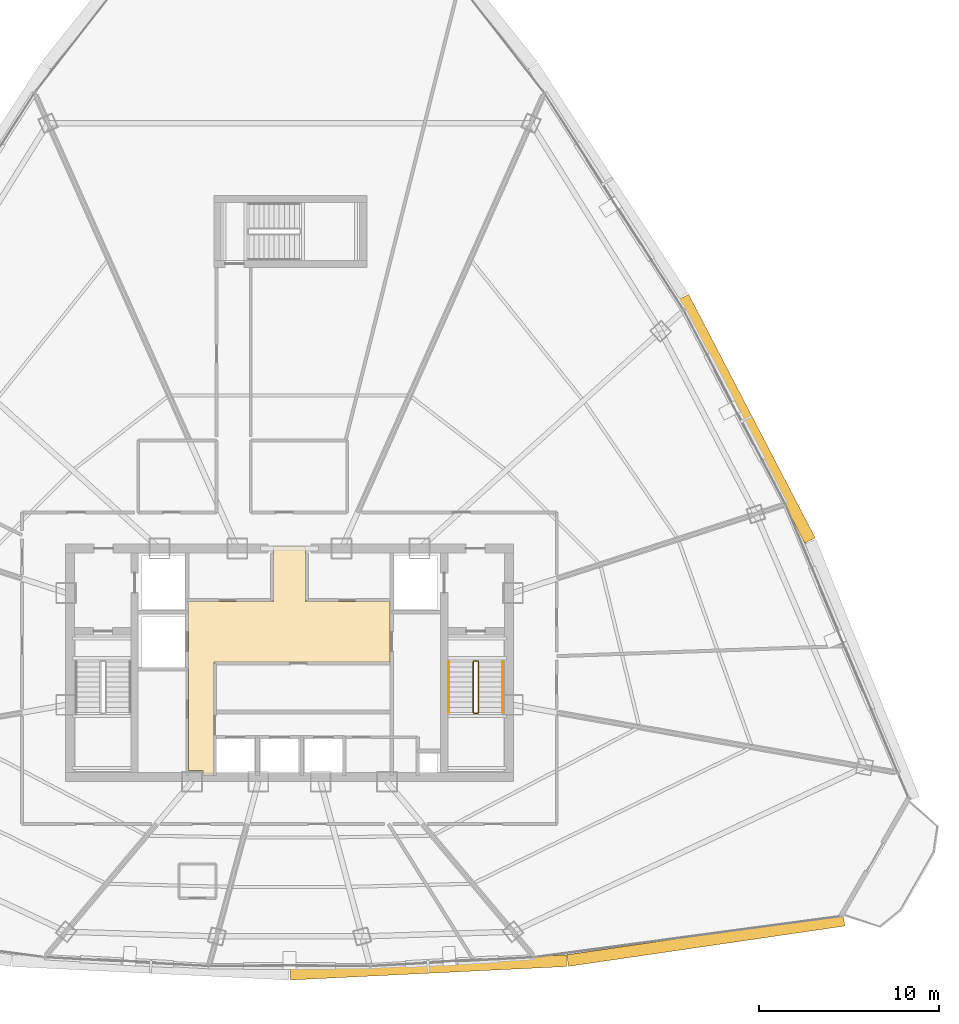
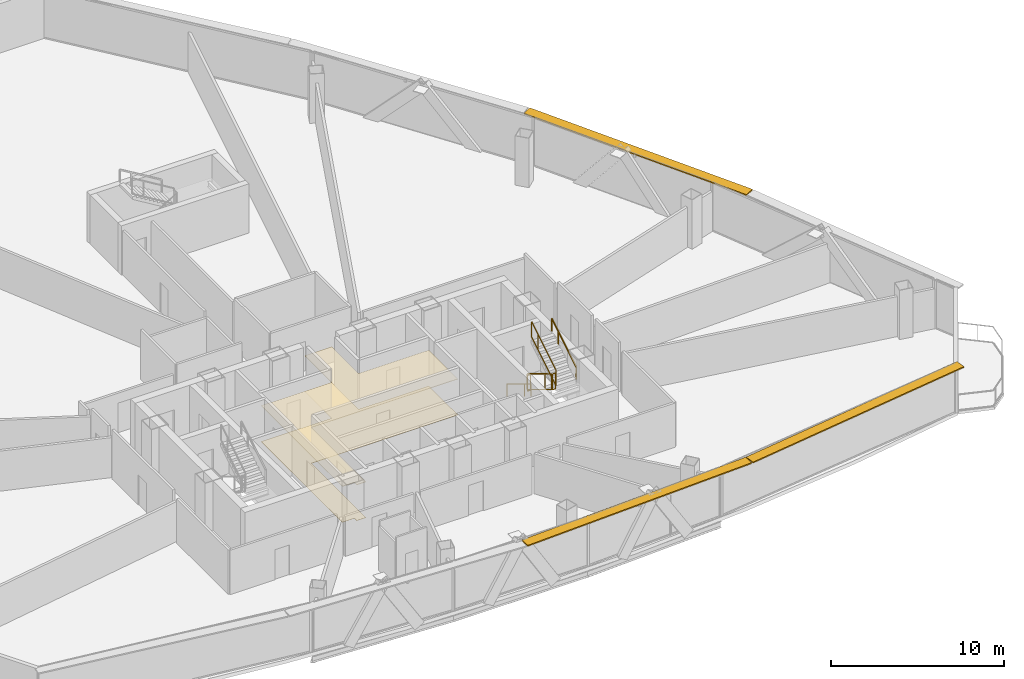
# One storey, part 35 of 37: 6 railings, 3 shading devices, 2 coverings.
"""IFC4 building model written with IfcOpenShell, lengths in metres."""

import ifcopenshell
import ifcopenshell.guid

model = None  # the IFC model being written
_history = None  # IfcOwnerHistory: only IFC2X3 demands one
_inside = {}  # id of a spatial element -> (the spatial element, [elements in it])
_under = {}  # id of a project, library or spatial element -> (it, [spatial elements below it])
_declared = {}  # id of a project -> (the project, [libraries it declares])
_typed = {}  # id of a type object -> (the type object, [elements of that type])
_made_of = {}  # id of a material, layer set ... -> (it, [elements and type objects made of it])


def new_model(schema):
    """Start an empty IFC model of exactly this schema.

    Asked for "IFC4X3", IfcOpenShell would pick the latest addendum, in which some entities
    have other attributes; the version numbers below select the first issue.
    IFC2X3 requires an IfcOwnerHistory on every rooted entity: one is made here for all.
    """
    global model, _history
    if schema == "IFC4X3":
        model = ifcopenshell.file(schema_version=(4, 3, 0, 0))
    else:
        model = ifcopenshell.file(schema=schema)
    _inside.clear()
    _under.clear()
    _declared.clear()
    _typed.clear()
    _made_of.clear()
    _history = None
    if model.schema == "IFC2X3":
        org = make("IfcOrganization", Name="unknown")
        user = make(
            "IfcPersonAndOrganization",
            ThePerson=make("IfcPerson", FamilyName="unknown"),
            TheOrganization=org,
        )
        app = make(
            "IfcApplication",
            ApplicationDeveloper=org,
            Version="unknown",
            ApplicationFullName="unknown",
            ApplicationIdentifier="unknown",
        )
        _history = make(
            "IfcOwnerHistory",
            OwningUser=user,
            OwningApplication=app,
            ChangeAction="ADDED",
            CreationDate=0,
        )
    return model


def make(cls, **values):
    """One entity of the class cls with the attributes given. An attribute that is None is left unset."""
    return model.create_entity(
        cls, **{name: value for name, value in values.items() if value is not None}
    )


def rooted(cls, **values):
    """An entity with a GlobalId (a new one), such as an element, a storey or a relation."""
    return make(cls, GlobalId=ifcopenshell.guid.new(), OwnerHistory=_history, **values)


def si_unit(unit_type, name, prefix=None):
    """IfcSIUnit, for example si_unit("LENGTHUNIT", "METRE", prefix="MILLI")."""
    return make("IfcSIUnit", UnitType=unit_type, Prefix=prefix, Name=name)


def assignment(units):
    """IfcUnitAssignment: the units of a project."""
    return None if units is None else make("IfcUnitAssignment", Units=units)


def point(xyz):
    """IfcCartesianPoint."""
    return None if xyz is None else make("IfcCartesianPoint", Coordinates=xyz)


def direction(xyz):
    """IfcDirection."""
    return None if xyz is None else make("IfcDirection", DirectionRatios=xyz)


def frame(location, z_axis=None, x_axis=None):
    """IfcAxis2Placement3D, a coordinate frame: its origin and axes. An axis left out is left unset."""
    return make(
        "IfcAxis2Placement3D",
        Location=point(location),
        Axis=direction(z_axis),
        RefDirection=direction(x_axis),
    )


def frame_2d(location, x_axis=None):
    """IfcAxis2Placement2D, a coordinate frame in the plane: its origin and x axis."""
    return make(
        "IfcAxis2Placement2D", Location=point(location), RefDirection=direction(x_axis)
    )


def origin():
    """The frame at (0, 0, 0) with its axes left unset."""
    return frame((0.0, 0.0, 0.0))


def origin_2d():
    """The frame at (0, 0) in the plane with its x axis left unset."""
    return frame_2d((0.0, 0.0))


def place(relative_to, where):
    """IfcLocalPlacement: puts the frame where relative to a parent placement (None: the world)."""
    return make(
        "IfcLocalPlacement", PlacementRelTo=relative_to, RelativePlacement=where
    )


def context(
    kind, dimensions, precision=None, world=None, true_north=None, identifier=None
):
    """IfcGeometricRepresentationContext, for example the 3D "Model" context."""
    return make(
        "IfcGeometricRepresentationContext",
        ContextIdentifier=identifier,
        ContextType=kind,
        CoordinateSpaceDimension=dimensions,
        Precision=precision,
        WorldCoordinateSystem=world,
        TrueNorth=true_north,
    )


def subcontext(parent, identifier, kind, view, scale=None):
    """IfcGeometricRepresentationSubContext, for example "Body" below "Model"."""
    return make(
        "IfcGeometricRepresentationSubContext",
        ContextIdentifier=identifier,
        ContextType=kind,
        ParentContext=parent,
        TargetScale=scale,
        TargetView=view,
    )


def project(units=None, contexts=None):
    """IfcProject with its units and contexts."""
    return rooted(
        "IfcProject",
        Name="project",
        RepresentationContexts=contexts,
        UnitsInContext=assignment(units),
    )


def spatial(cls, under=None, at=None, **own):
    """A site, building, storey or space (cls), placed at a placement, below another one or the project."""
    s = rooted(cls, ObjectPlacement=at, **own)
    if under is not None:
        _under.setdefault(under.id(), (under, []))[1].append(s)
    return s


def polyline(points):
    """IfcPolyline through the points."""
    return make("IfcPolyline", Points=[point(p) for p in points])


def profile(cls, at=None, kind="AREA", **sizes):
    """A parametric profile (cls). Its sizes go by their IFC names, for example OverallWidth=200.0."""
    return make(cls, ProfileType=kind, Position=at, **sizes)


def rectangle(**sizes):
    """IfcRectangleProfileDef."""
    return profile("IfcRectangleProfileDef", **sizes)


def outline(outer, holes=None, kind="AREA"):
    """IfcArbitraryClosedProfileDef: a profile drawn as a closed curve; with holes, ...WithVoids."""
    if holes is None:
        return make("IfcArbitraryClosedProfileDef", ProfileType=kind, OuterCurve=outer)
    return make(
        "IfcArbitraryProfileDefWithVoids",
        ProfileType=kind,
        OuterCurve=outer,
        InnerCurves=holes,
    )


def extrude(swept, where, along, depth):
    """IfcExtrudedAreaSolid: the profile swept, set in the frame where, extruded along a direction by depth."""
    return make(
        "IfcExtrudedAreaSolid",
        SweptArea=swept,
        Position=where,
        ExtrudedDirection=direction(along),
        Depth=depth,
    )


def shape(context_of_items, identifier, shape_type, items):
    """IfcShapeRepresentation: the items that make up one representation, for example the "Body"."""
    return make(
        "IfcShapeRepresentation",
        ContextOfItems=context_of_items,
        RepresentationIdentifier=identifier,
        RepresentationType=shape_type,
        Items=items,
    )


def source(mapping_origin, context_of_items, identifier, shape_type, items):
    """IfcRepresentationMap: a shape defined once, which mapped items show again and again."""
    return make(
        "IfcRepresentationMap",
        MappingOrigin=mapping_origin,
        MappedRepresentation=shape(context_of_items, identifier, shape_type, items),
    )


def transform(
    local_origin,
    x_axis=None,
    y_axis=None,
    z_axis=None,
    scale=None,
    scale2=None,
    scale3=None,
    uniform=True,
):
    """IfcCartesianTransformationOperator3D, or its non-uniform kind. x_axis, y_axis, z_axis: its Axis1, 2, 3."""
    if uniform:
        return make(
            "IfcCartesianTransformationOperator3D",
            Axis1=direction(x_axis),
            Axis2=direction(y_axis),
            LocalOrigin=point(local_origin),
            Scale=scale,
            Axis3=direction(z_axis),
        )
    return make(
        "IfcCartesianTransformationOperator3DnonUniform",
        Axis1=direction(x_axis),
        Axis2=direction(y_axis),
        LocalOrigin=point(local_origin),
        Scale=scale,
        Axis3=direction(z_axis),
        Scale2=scale2,
        Scale3=scale3,
    )


def mapped(mapping_source, mapping_target):
    """IfcMappedItem: shows the shape of a source again, moved by a transform."""
    return make(
        "IfcMappedItem", MappingSource=mapping_source, MappingTarget=mapping_target
    )


def material(Name=None, Category=None):
    """IfcMaterial."""
    return make("IfcMaterial", Name=Name, Category=Category)


def layer(
    of_material, thickness, ventilated=None, Name=None, Category=None, Priority=None
):
    """IfcMaterialLayer: one layer of a wall or slab, of a material (None: an air gap)."""
    return make(
        "IfcMaterialLayer",
        Material=of_material,
        LayerThickness=thickness,
        IsVentilated=ventilated,
        Name=Name,
        Category=Category,
        Priority=Priority,
    )


def layer_set(layers, Name=None):
    """IfcMaterialLayerSet."""
    return make("IfcMaterialLayerSet", MaterialLayers=layers, LayerSetName=Name)


def made_of(thing, what):
    """Note that an element or type object is made of a material, layer set ...; save() writes the relation."""
    if what is not None:
        _made_of.setdefault(what.id(), (what, []))[1].append(thing)
    return thing


def type_object(cls, material=None, **own):
    """A type object (cls), such as IfcWallType, which elements share."""
    return made_of(rooted(cls, **own), material)


def element(
    cls,
    number,
    at=None,
    inside=None,
    cuts=None,
    type_object=None,
    material=None,
    context=None,
    identifier="Body",
    shape_type=None,
    held_by="IfcProductDefinitionShape",
    body=None,
    shapes=None,
    **own,
):
    """One element of the class cls, such as IfcWall. Its Tag is "e" and its number.

    at: its placement. inside: the storey or other place that contains it. cuts: it is an
    opening in that element (IfcRelVoidsElement). A single representation is given by context,
    identifier, shape_type and body (its items); several are given by shapes. held_by: the class
    of the entity that holds the representations. save() writes the other relations.
    """
    e = rooted(cls, Tag="e%d" % number, ObjectPlacement=at, **own)
    if body is not None:
        shapes = [shape(context, identifier, shape_type, body)]
    if shapes is not None:
        e.Representation = make(held_by, Representations=shapes)
    if inside is not None:
        _inside.setdefault(inside.id(), (inside, []))[1].append(e)
    if cuts is not None:
        rooted(
            "IfcRelVoidsElement", RelatingBuildingElement=cuts, RelatedOpeningElement=e
        )
    if type_object is not None:
        _typed.setdefault(type_object.id(), (type_object, []))[1].append(e)
    return made_of(e, material)


def aggregate(whole, parts):
    """IfcRelAggregates: a whole, such as a stair, and the parts it consists of."""
    return rooted("IfcRelAggregates", RelatingObject=whole, RelatedObjects=parts)


def save(model, path):
    """Write the relations noted so far, then the file.

    IfcRelAggregates (storeys below a building ...), IfcRelContainedInSpatialStructure (elements
    in a storey), IfcRelDefinesByType, IfcRelAssociatesMaterial and IfcRelDeclares: one each for
    every whole, place, type object, material and project.
    """
    for whole, parts in _under.values():
        aggregate(whole, parts)
    for where, things in _inside.values():
        rooted(
            "IfcRelContainedInSpatialStructure",
            RelatedElements=things,
            RelatingStructure=where,
        )
    for kind, things in _typed.values():
        rooted("IfcRelDefinesByType", RelatedObjects=things, RelatingType=kind)
    for what, things in _made_of.values():
        rooted("IfcRelAssociatesMaterial", RelatedObjects=things, RelatingMaterial=what)
    for by, libraries in _declared.values():
        rooted("IfcRelDeclares", RelatingContext=by, RelatedDefinitions=libraries)
    model.write(path)


model = new_model("IFC4")

# Units and contexts
model_context = context("Model", 3, precision=1e-05, world=origin(), true_north=direction((0.0, 1.0)))
body_context = subcontext(model_context, "Body", "Model", "MODEL_VIEW")
ifc_project = project(units=[si_unit("LENGTHUNIT", "METRE"), si_unit("AREAUNIT", "SQUARE_METRE"), si_unit("VOLUMEUNIT", "CUBIC_METRE"), si_unit("PLANEANGLEUNIT", "RADIAN"), si_unit("MASSUNIT", "GRAM", prefix="KILO"), si_unit("THERMODYNAMICTEMPERATUREUNIT", "KELVIN"), si_unit("POWERUNIT", "WATT")], contexts=[model_context])

# Site, building, storey
site_placement = place(None, origin())
site = spatial("IfcSite", under=ifc_project, at=site_placement, CompositionType="ELEMENT")
building_placement = place(site_placement, origin())
building = spatial("IfcBuilding", under=site, at=building_placement, Name="Yunzhuo Pagoda Commons", CompositionType="ELEMENT")
storey_placement = place(building_placement, frame((0.0, 0.0, 259.449951171875)))
storey = spatial("IfcBuildingStorey", under=building, at=storey_placement, Name="L65", CompositionType="ELEMENT", Elevation=259.449951171875)

# Coverings
ifc_material_1 = material(Name="Perforated gypsum acoustic ceiling tile")
ifc_layer_1 = layer(ifc_material_1, 0.030029296875)
ifc_layer_set_1 = layer_set([ifc_layer_1], Name="Perforated gypsum acoustic ceiling tile")
covering_type_1 = type_object("IfcCoveringType", Name="COV-CL2 Ceiling 30", PredefinedType="CEILING", material=ifc_layer_set_1)
covering_1_placement = place(storey_placement, frame((0.0, 0.0, 2.52001953125)))
element("IfcCovering", 1, at=covering_1_placement, inside=storey, type_object=covering_type_1, Name="L65 lift lobby acoustic ceiling", PredefinedType="CEILING", context=body_context, shape_type="SweptSolid", body=[
    extrude(outline(polyline([(43.207763671875, 27.85009765625), (43.201904296875, 27.864013671875), (43.187744140625, 27.8701171875), (42.39990234375, 27.8701171875), (42.39990234375, 33.89990234375), (42.39990234375, 37.25), (47.10009765625, 37.25), (47.10009765625, 40.35009765625), (48.89990234375, 40.35009765625), (48.89990234375, 37.25), (53.580078125, 37.25), (53.580078125, 33.89990234375), (43.820068359375, 33.89990234375), (43.820068359375, 27.60009765625), (43.207763671875, 27.60009765625), (43.207763671875, 27.85009765625)])), origin(), (0.0, 0.0, 1.0), 0.030029296875),
])
ifc_material_2 = material(Name="Resilient acoustic studio flooring")
ifc_layer_2 = layer(ifc_material_2, 0.01806640625)
ifc_layer_set_2 = layer_set([ifc_layer_2], Name="Resilient acoustic studio flooring")
covering_type_2 = type_object("IfcCoveringType", Name="COV-FL3 Flooring 18", PredefinedType="FLOORING", material=ifc_layer_set_2)
covering_2_placement = place(storey_placement, origin())
element("IfcCovering", 2, at=covering_2_placement, inside=storey, type_object=covering_type_2, Name="L65 lift lobby flooring", PredefinedType="FLOORING", context=body_context, shape_type="SweptSolid", body=[
    extrude(outline(polyline([(43.207763671875, 27.85009765625), (43.201904296875, 27.864013671875), (43.187744140625, 27.8701171875), (42.39990234375, 27.8701171875), (42.39990234375, 33.89990234375), (42.39990234375, 37.25), (47.10009765625, 37.25), (47.10009765625, 40.35009765625), (48.89990234375, 40.35009765625), (48.89990234375, 37.25), (53.580078125, 37.25), (53.580078125, 33.89990234375), (43.820068359375, 33.89990234375), (43.820068359375, 27.60009765625), (43.207763671875, 27.60009765625), (43.207763671875, 27.85009765625)])), origin(), (0.0, 0.0, 1.0), 0.01806640625),
])

# Railings
ifc_material_3 = material(Name="Anodized aluminium 6063-T6", Category="aluminium")
railing_type_1 = type_object("IfcRailingType", Name="GR-ST2 Stair Well Guardrail 1160", PredefinedType="GUARDRAIL", material=ifc_material_3)
railing_1_placement = place(storey_placement, frame((58.199951171875, 33.89990234375, 0.169677734375)))
element("IfcRailing", 3, at=railing_1_placement, inside=storey, type_object=railing_type_1, Name="L65 ST2 stair guard 1", PredefinedType="GUARDRAIL", context=body_context, shape_type="SweptSolid", body=[
    extrude(rectangle(XDim=0.048095703125, YDim=0.048095703125, at=origin_2d()), frame((0.0, 0.0, 1.1259765625), z_axis=(0.0, -0.855406155521, 0.517957825596), x_axis=(1.0, 0.0, 0.0)), (0.0, 0.0, 1.0), 3.27294921875),
    extrude(rectangle(XDim=0.048095703125, YDim=0.048095703125, at=origin_2d()), frame((0.0, 0.0, 0.02392578125), z_axis=(0.0, -0.855406155521, 0.517957825596), x_axis=(1.0, 0.0, 0.0)), (0.0, 0.0, 1.0), 3.27294921875),
    extrude(rectangle(XDim=0.0419921875, YDim=0.0419921875, at=origin_2d()), origin(), (0.0, 0.0, 1.0), 1.101806640625),
    extrude(rectangle(XDim=0.0419921875, YDim=0.0419921875, at=origin_2d()), frame((0.0, -2.052978515625, 1.2431640625)), (0.0, 0.0, 1.0), 1.101806640625),
    extrude(rectangle(XDim=0.0419921875, YDim=0.0419921875, at=origin_2d()), frame((0.0, -2.7998046875, 1.6953125)), (0.0, 0.0, 1.0), 1.101806640625),
])
railing_2_placement = place(storey_placement, frame((58.25, 31.050048828125, 1.864990234375)))
element("IfcRailing", 4, at=railing_2_placement, inside=storey, type_object=railing_type_1, Name="L65 ST2 stair guard 2", PredefinedType="GUARDRAIL", context=body_context, shape_type="SweptSolid", body=[
    extrude(rectangle(XDim=0.048095703125, YDim=0.048095703125, at=origin_2d()), frame((0.0, 0.0, 1.1259765625), z_axis=(1.0, 0.0, 0.0), x_axis=(0.0, 1.0, 0.0)), (0.0, 0.0, 1.0), 0.199951171875),
    extrude(rectangle(XDim=0.048095703125, YDim=0.048095703125, at=origin_2d()), frame((0.0, 0.0, 0.02392578125), z_axis=(1.0, 0.0, 0.0), x_axis=(0.0, 1.0, 0.0)), (0.0, 0.0, 1.0), 0.199951171875),
    extrude(rectangle(XDim=0.0419921875, YDim=0.0419921875, at=origin_2d()), origin(), (0.0, 0.0, 1.0), 1.101806640625),
    extrude(rectangle(XDim=0.0419921875, YDim=0.0419921875, at=origin_2d()), frame((0.199951171875, 0.0, 0.0)), (0.0, 0.0, 1.0), 1.101806640625),
])
railing_3_placement = place(storey_placement, frame((58.5, 31.10009765625, 2.03466796875)))
element("IfcRailing", 5, at=railing_3_placement, inside=storey, type_object=railing_type_1, Name="L65 ST2 stair guard 3", PredefinedType="GUARDRAIL", context=body_context, shape_type="SweptSolid", body=[
    extrude(rectangle(XDim=0.048095703125, YDim=0.048095703125, at=origin_2d()), frame((0.0, 0.0, 1.1259765625), z_axis=(0.0, 0.855406155521, 0.517957825596), x_axis=(-1.0, 0.0, 0.0)), (0.0, 0.0, 1.0), 3.27294921875),
    extrude(rectangle(XDim=0.048095703125, YDim=0.048095703125, at=origin_2d()), frame((0.0, 0.0, 0.02392578125), z_axis=(0.0, 0.855406155521, 0.517957825596), x_axis=(-1.0, 0.0, 0.0)), (0.0, 0.0, 1.0), 3.27294921875),
    extrude(rectangle(XDim=0.0419921875, YDim=0.0419921875, at=origin_2d()), origin(), (0.0, 0.0, 1.0), 1.101806640625),
    extrude(rectangle(XDim=0.0419921875, YDim=0.0419921875, at=origin_2d()), frame((0.0, 2.052978515625, 1.2431640625)), (0.0, 0.0, 1.0), 1.101806640625),
    extrude(rectangle(XDim=0.0419921875, YDim=0.0419921875, at=origin_2d()), frame((0.0, 2.7998046875, 1.6953125)), (0.0, 0.0, 1.0), 1.101806640625),
])
railing_4_placement = place(storey_placement, frame((58.25, 33.949951171875, 0.0)))
element("IfcRailing", 6, at=railing_4_placement, inside=storey, type_object=railing_type_1, Name="L65 ST2 stair guard 4", PredefinedType="GUARDRAIL", context=body_context, shape_type="SweptSolid", body=[
    extrude(rectangle(XDim=0.048095703125, YDim=0.048095703125, at=origin_2d()), frame((0.0, 0.0, 1.1259765625), z_axis=(1.0, 0.0, 0.0), x_axis=(0.0, 1.0, 0.0)), (0.0, 0.0, 1.0), 0.199951171875),
    extrude(rectangle(XDim=0.048095703125, YDim=0.048095703125, at=origin_2d()), frame((0.0, 0.0, 0.02392578125), z_axis=(1.0, 0.0, 0.0), x_axis=(0.0, 1.0, 0.0)), (0.0, 0.0, 1.0), 0.199951171875),
    extrude(rectangle(XDim=0.0419921875, YDim=0.0419921875, at=origin_2d()), origin(), (0.0, 0.0, 1.0), 1.101806640625),
    extrude(rectangle(XDim=0.0419921875, YDim=0.0419921875, at=origin_2d()), frame((0.199951171875, 0.0, 0.0)), (0.0, 0.0, 1.0), 1.101806640625),
])
railing_type_2 = type_object("IfcRailingType", Name="HR-ST2 Stair Handrail 900", PredefinedType="HANDRAIL", material=ifc_material_3)
railing_5_placement = place(storey_placement, frame((56.85009765625, 33.89990234375, 0.169677734375)))
element("IfcRailing", 7, at=railing_5_placement, inside=storey, type_object=railing_type_2, Name="L65 ST2 stair handrail 1", PredefinedType="HANDRAIL", context=body_context, shape_type="SweptSolid", body=[
    extrude(rectangle(XDim=0.048095703125, YDim=0.048095703125, at=origin_2d()), frame((0.0, 0.0, 0.8759765625), z_axis=(0.0, -0.855406155521, 0.517957825596), x_axis=(1.0, 0.0, 0.0)), (0.0, 0.0, 1.0), 3.27294921875),
    extrude(rectangle(XDim=0.0419921875, YDim=0.0419921875, at=origin_2d()), origin(), (0.0, 0.0, 1.0), 0.851806640625),
    extrude(rectangle(XDim=0.0419921875, YDim=0.0419921875, at=origin_2d()), frame((0.0, -2.052978515625, 1.2431640625)), (0.0, 0.0, 1.0), 0.851806640625),
    extrude(rectangle(XDim=0.0419921875, YDim=0.0419921875, at=origin_2d()), frame((0.0, -2.7998046875, 1.6953125)), (0.0, 0.0, 1.0), 0.851806640625),
])
railing_6_placement = place(storey_placement, frame((59.85009765625, 31.10009765625, 2.03466796875)))
element("IfcRailing", 8, at=railing_6_placement, inside=storey, type_object=railing_type_2, Name="L65 ST2 stair handrail 2", PredefinedType="HANDRAIL", context=body_context, shape_type="SweptSolid", body=[
    extrude(rectangle(XDim=0.048095703125, YDim=0.048095703125, at=origin_2d()), frame((0.0, 0.0, 0.8759765625), z_axis=(0.0, 0.855406155521, 0.517957825596), x_axis=(-1.0, 0.0, 0.0)), (0.0, 0.0, 1.0), 3.27294921875),
    extrude(rectangle(XDim=0.0419921875, YDim=0.0419921875, at=origin_2d()), origin(), (0.0, 0.0, 1.0), 0.851806640625),
    extrude(rectangle(XDim=0.0419921875, YDim=0.0419921875, at=origin_2d()), frame((0.0, 2.052978515625, 1.2431640625)), (0.0, 0.0, 1.0), 0.851806640625),
    extrude(rectangle(XDim=0.0419921875, YDim=0.0419921875, at=origin_2d()), frame((0.0, 2.7998046875, 1.6953125)), (0.0, 0.0, 1.0), 0.851806640625),
])

# Shading devices
ifc_layer_3 = layer(ifc_material_3, 0.080078125)
ifc_layer_set_3 = layer_set([ifc_layer_3], Name="Anodized aluminium 6063-T6")
shading_device_type = type_object("IfcShadingDeviceType", Name="SH-SUN1 Pagoda Horizontal Sunshade Eave 650", PredefinedType="USERDEFINED", material=ifc_layer_set_3)
shared_shape_1 = source(origin(), body_context, "Body", "SweptSolid", [
    extrude(rectangle(XDim=15.368408203125, YDim=0.64990234375, at=origin_2d()), origin(), (0.0, 0.0, 1.0), 0.080078125),
])
shading_device_1_placement = place(storey_placement, frame((55.706787109375, 16.93310546875, 3.389892578125), z_axis=(0.0, 0.0, 1.0), x_axis=(0.998818043775, 0.04860571396, 0.0)))
element("IfcShadingDevice", 9, at=shading_device_1_placement, inside=storey, type_object=shading_device_type, Name="L65 horizontal pagoda sunshade eave F1.3", ObjectType="SUNSHADE", PredefinedType="USERDEFINED", context=body_context, shape_type="MappedRepresentation", body=[
    mapped(shared_shape_1, transform((0.0, 0.0, 0.0), scale=1.0)),
])
shared_shape_2 = source(origin(), body_context, "Body", "SweptSolid", [
    extrude(rectangle(XDim=15.51318359375, YDim=0.64990234375, at=origin_2d()), origin(), (0.0, 0.0, 1.0), 0.080078125),
])
shading_device_2_placement = place(storey_placement, frame((71.1201171875, 18.43310546875, 3.389892578125), z_axis=(0.0, 0.0, 1.0), x_axis=(0.989510666697, 0.144459823108, 0.0)))
element("IfcShadingDevice", 10, at=shading_device_2_placement, inside=storey, type_object=shading_device_type, Name="L65 horizontal pagoda sunshade eave F1.4", ObjectType="SUNSHADE", PredefinedType="USERDEFINED", context=body_context, shape_type="MappedRepresentation", body=[
    mapped(shared_shape_2, transform((0.0, 0.0, 0.0), scale=1.0)),
])
shared_shape_3 = source(origin(), body_context, "Body", "SweptSolid", [
    extrude(rectangle(XDim=15.242431640625, YDim=0.64990234375, at=origin_2d()), origin(), (0.0, 0.0, 1.0), 0.080078125),
])
shading_device_3_placement = place(storey_placement, frame((73.390869140625, 47.40283203125, 3.389892578125), z_axis=(0.0, 0.0, 1.0), x_axis=(-0.461206683033, 0.88729273384, 0.0)))
element("IfcShadingDevice", 11, at=shading_device_3_placement, inside=storey, type_object=shading_device_type, Name="L65 horizontal pagoda sunshade eave F2.2", ObjectType="SUNSHADE", PredefinedType="USERDEFINED", context=body_context, shape_type="MappedRepresentation", body=[
    mapped(shared_shape_3, transform((0.0, 0.0, 0.0), scale=1.0)),
])

save(model, "model.ifc")
